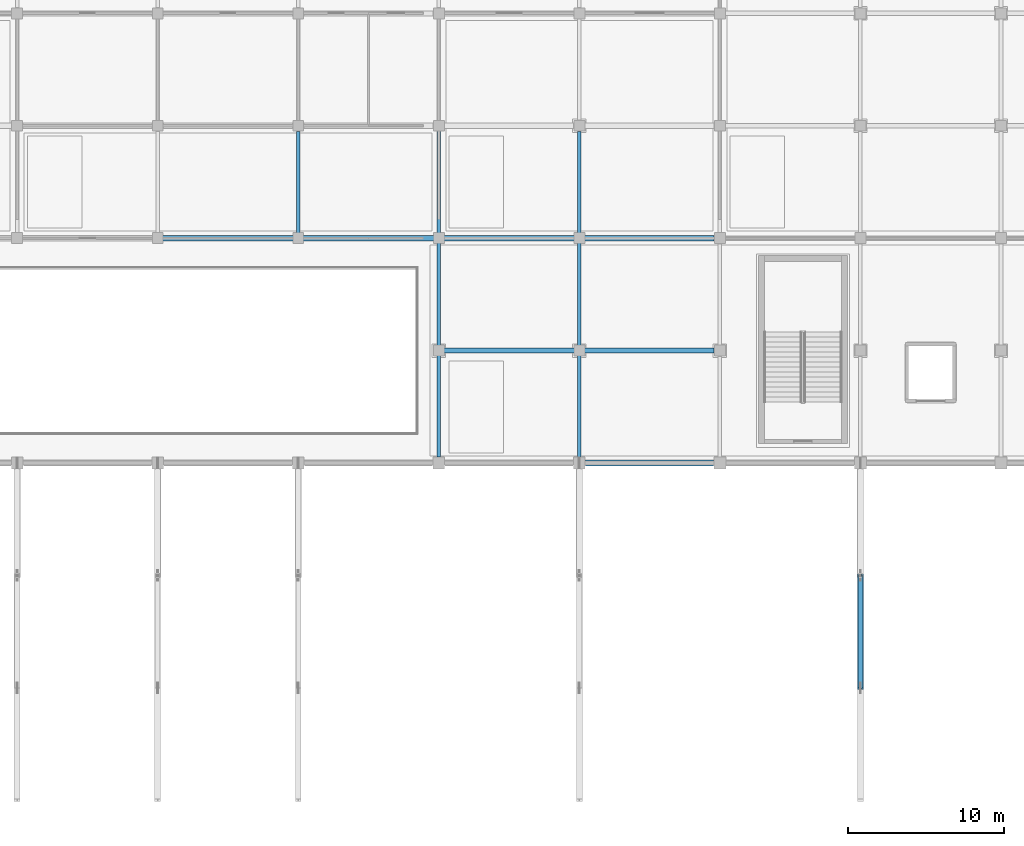
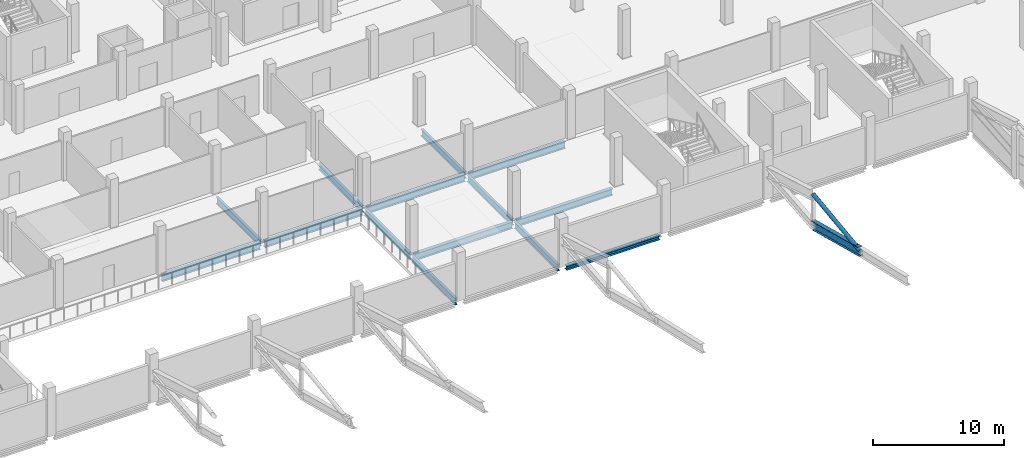
# One storey, part 30 of 151: 14 beams, 2 members.
"""IFC4 building model written with IfcOpenShell, lengths in metres."""

from ifc_helpers import new_model, si_unit, direction, frame, origin, origin_2d, place, context, subcontext, project, spatial, hollow_circle, i_section, extrude, material, material_profile, profile_set, type_object, element, save


model = new_model("IFC4")

# Units and contexts
model_context = context("Model", 3, precision=1e-05, world=origin(), true_north=direction((0.0, 1.0)))
body_context = subcontext(model_context, "Body", "Model", "MODEL_VIEW")
ifc_project = project(units=[si_unit("LENGTHUNIT", "METRE"), si_unit("AREAUNIT", "SQUARE_METRE"), si_unit("VOLUMEUNIT", "CUBIC_METRE"), si_unit("PLANEANGLEUNIT", "RADIAN"), si_unit("MASSUNIT", "GRAM", prefix="KILO")], contexts=[model_context])

# Site, building, storey
site_placement = place(None, origin())
site = spatial("IfcSite", under=ifc_project, at=site_placement, CompositionType="ELEMENT")
building_placement = place(site_placement, origin())
building = spatial("IfcBuilding", under=site, at=building_placement, Name="Celestram Park Convention Centre", CompositionType="ELEMENT")
storey_placement = place(building_placement, frame((0.0, 0.0, 10.800048828125)))
storey = spatial("IfcBuildingStorey", under=building, at=storey_placement, Name="L02", CompositionType="ELEMENT", Elevation=10.800048828125)

# Beams
ifc_material_1 = material(Name="Steel ASTM A992 Grade 50", Category="steel")
ifc_material_profile_1 = material_profile(ifc_material_1, i_section(OverallWidth=0.327880859375, OverallDepth=0.6220703125, WebThickness=0.015380859375, FlangeThickness=0.0244140625, at=origin_2d()), Name="W24X131")
ifc_profile_set_1 = profile_set([ifc_material_profile_1], Name="Steel ASTM A992 Grade 50")
beam_type_1 = type_object("IfcBeamType", Name="STR-BM-W24X131", PredefinedType="BEAM", material=ifc_profile_set_1)
for number, where, z_axis, x_axis, name in (
    (1, (63.182861328125, 122.39990234375, -0.591064453125), (1.0, 0.0, 0.0), (0.0, 1.0, 0.0), "Primary X-girder BG-L02-0055"),
    (2, (72.182861328125, 122.39990234375, -0.591064453125), (1.0, 0.0, 0.0), (0.0, 1.0, 0.0), "Primary X-girder BG-L02-0067"),
    (3, (81.182861328125, 115.199951171875, -0.591064453125), (1.0, 0.0, 0.0), (0.0, 1.0, 0.0), "Primary X-girder BG-L02-0082"),
    (4, (81.182861328125, 122.39990234375, -0.591064453125), (1.0, 0.0, 0.0), (0.0, 1.0, 0.0), "Primary X-girder BG-L02-0084"),
):
    element("IfcBeam", number, at=place(storey_placement, frame(where, z_axis=z_axis, x_axis=x_axis)), inside=storey, type_object=beam_type_1, Name=name, PredefinedType="BEAM", context=body_context, shape_type="SweptSolid", body=[
        extrude(i_section(OverallWidth=0.327880859375, OverallDepth=0.6220703125, WebThickness=0.015380859375, FlangeThickness=0.0244140625, at=origin_2d()), origin(), (0.0, 0.0, 1.0), 8.63427734375),
    ])
for number, where, z_axis, x_axis, name in (
    (5, (90.182861328125, 115.199951171875, -0.591064453125), (1.0, 0.0, 0.0), (0.0, 1.0, 0.0), "Primary X-girder BG-L02-0097"),
    (6, (90.182861328125, 122.39990234375, -0.591064453125), (1.0, 0.0, 0.0), (0.0, 1.0, 0.0), "Primary X-girder BG-L02-0099"),
):
    element("IfcBeam", number, at=place(storey_placement, frame(where, z_axis=z_axis, x_axis=x_axis)), inside=storey, type_object=beam_type_1, Name=name, PredefinedType="BEAM", context=body_context, shape_type="SweptSolid", body=[
        extrude(i_section(OverallWidth=0.327880859375, OverallDepth=0.6220703125, WebThickness=0.015380859375, FlangeThickness=0.0244140625, at=origin_2d()), origin(), (0.0, 0.0, 1.0), 8.444091796875),
    ])
ifc_material_profile_2 = material_profile(ifc_material_1, i_section(OverallWidth=0.22900390625, OverallDepth=0.612060546875, WebThickness=0.011962890625, FlangeThickness=0.01953125, at=origin_2d()), Name="W24X84")
ifc_profile_set_2 = profile_set([ifc_material_profile_2], Name="Steel ASTM A992 Grade 50")
beam_type_2 = type_object("IfcBeamType", Name="STR-BM-W24X84", PredefinedType="BEAM", material=ifc_profile_set_2)
beam_1_placement = place(storey_placement, frame((72.0, 122.5830078125, -0.5859375), z_axis=(0.0, 1.0, 0.0), x_axis=(-1.0, 0.0, 0.0)))
element("IfcBeam", 7, at=beam_1_placement, inside=storey, type_object=beam_type_2, Name="Primary Y-girder BG-L02-0068", PredefinedType="BEAM", context=body_context, shape_type="SweptSolid", body=[
    extrude(i_section(OverallWidth=0.22900390625, OverallDepth=0.612060546875, WebThickness=0.011962890625, FlangeThickness=0.01953125, at=origin_2d()), origin(), (0.0, 0.0, 1.0), 6.64404296875),
])
beam_2_placement = place(storey_placement, frame((81.0, 108.39794921875, -0.5859375), z_axis=(0.0, 1.0, 0.0), x_axis=(-1.0, 0.0, 0.0)))
element("IfcBeam", 8, at=beam_2_placement, inside=storey, type_object=beam_type_2, Name="Primary Y-girder BG-L02-0081", PredefinedType="BEAM", context=body_context, shape_type="SweptSolid", body=[
    extrude(i_section(OverallWidth=0.22900390625, OverallDepth=0.612060546875, WebThickness=0.011962890625, FlangeThickness=0.01953125, at=origin_2d()), origin(), (0.0, 0.0, 1.0), 6.619140625),
])
beam_3_placement = place(storey_placement, frame((81.0, 115.3828125, -0.5859375), z_axis=(0.0, 1.0, 0.0), x_axis=(-1.0, 0.0, 0.0)))
element("IfcBeam", 9, at=beam_3_placement, inside=storey, type_object=beam_type_2, Name="Primary Y-girder BG-L02-0083", PredefinedType="BEAM", context=body_context, shape_type="SweptSolid", body=[
    extrude(i_section(OverallWidth=0.22900390625, OverallDepth=0.612060546875, WebThickness=0.011962890625, FlangeThickness=0.01953125, at=origin_2d()), origin(), (0.0, 0.0, 1.0), 6.834228515625),
])
beam_4_placement = place(storey_placement, frame((81.0, 122.5830078125, -0.5859375), z_axis=(0.0, 1.0, 0.0), x_axis=(-1.0, 0.0, 0.0)))
element("IfcBeam", 10, at=beam_4_placement, inside=storey, type_object=beam_type_2, Name="Primary Y-girder BG-L02-0085", PredefinedType="BEAM", context=body_context, shape_type="SweptSolid", body=[
    extrude(i_section(OverallWidth=0.22900390625, OverallDepth=0.612060546875, WebThickness=0.011962890625, FlangeThickness=0.01953125, at=origin_2d()), origin(), (0.0, 0.0, 1.0), 6.64404296875),
])
beam_5_placement = place(storey_placement, frame((90.0, 108.39794921875, -0.5859375), z_axis=(0.0, 1.0, 0.0), x_axis=(-1.0, 0.0, 0.0)))
element("IfcBeam", 11, at=beam_5_placement, inside=storey, type_object=beam_type_2, Name="Primary Y-girder BG-L02-0096", PredefinedType="BEAM", context=body_context, shape_type="SweptSolid", body=[
    extrude(i_section(OverallWidth=0.22900390625, OverallDepth=0.612060546875, WebThickness=0.011962890625, FlangeThickness=0.01953125, at=origin_2d()), origin(), (0.0, 0.0, 1.0), 6.619140625),
])
beam_6_placement = place(storey_placement, frame((90.0, 115.3828125, -0.5859375), z_axis=(0.0, 1.0, 0.0), x_axis=(-1.0, 0.0, 0.0)))
element("IfcBeam", 12, at=beam_6_placement, inside=storey, type_object=beam_type_2, Name="Primary Y-girder BG-L02-0098", PredefinedType="BEAM", context=body_context, shape_type="SweptSolid", body=[
    extrude(i_section(OverallWidth=0.22900390625, OverallDepth=0.612060546875, WebThickness=0.011962890625, FlangeThickness=0.01953125, at=origin_2d()), origin(), (0.0, 0.0, 1.0), 6.834228515625),
])
beam_7_placement = place(storey_placement, frame((90.0, 122.5830078125, -0.5859375), z_axis=(0.0, 1.0, 0.0), x_axis=(-1.0, 0.0, 0.0)))
element("IfcBeam", 13, at=beam_7_placement, inside=storey, type_object=beam_type_2, Name="Primary Y-girder BG-L02-0100", PredefinedType="BEAM", context=body_context, shape_type="SweptSolid", body=[
    extrude(i_section(OverallWidth=0.22900390625, OverallDepth=0.612060546875, WebThickness=0.011962890625, FlangeThickness=0.01953125, at=origin_2d()), origin(), (0.0, 0.0, 1.0), 6.64404296875),
])

# Members
ifc_material_2 = material(Name="Steel ASTM A500 Grade C", Category="steel")
ifc_material_profile_3 = material_profile(ifc_material_2, hollow_circle(Radius=0.177978515625, WallThickness=0.011962890625, at=origin_2d()), Name="CHS356X12")
ifc_profile_set_3 = profile_set([ifc_material_profile_3], Name="Steel ASTM A500 Grade C")
member_type_1 = type_object("IfcMemberType", Name="STR-BRC-CHS356", PredefinedType="BRACE", material=ifc_profile_set_3)
member_1_placement = place(storey_placement, frame((108.0, 93.60009765625, 3.615234375), z_axis=(0.0, 0.991906664472, 0.126969165453), x_axis=(-1.0, 0.0, 0.0)))
element("IfcMember", 14, at=member_1_placement, inside=storey, type_object=member_type_1, Name="V1 arch web diagonal", PredefinedType="BRACE", context=body_context, shape_type="SweptSolid", body=[
    extrude(hollow_circle(Radius=0.177978515625, WallThickness=0.011962890625, at=origin_2d()), origin(), (0.0, 0.0, 1.0), 7.2587890625),
])
ifc_material_profile_4 = material_profile(ifc_material_1, i_section(OverallWidth=0.381103515625, OverallDepth=0.77197265625, WebThickness=0.0166015625, FlangeThickness=0.027099609375, at=origin_2d()), Name="W30X173")
ifc_profile_set_4 = profile_set([ifc_material_profile_4], Name="Steel ASTM A992 Grade 50")
member_type_2 = type_object("IfcMemberType", Name="STR-CHD-W30X173", PredefinedType="CHORD", material=ifc_profile_set_4)
member_2_placement = place(storey_placement, frame((108.0, 93.60009765625, 3.615234375), z_axis=(0.0, 0.967611697295, -0.252443267403), x_axis=(-1.0, 0.0, 0.0)))
element("IfcMember", 15, at=member_2_placement, inside=storey, type_object=member_type_2, Name="V1 arch bottom chord", PredefinedType="CHORD", context=body_context, shape_type="SweptSolid", body=[
    extrude(i_section(OverallWidth=0.381103515625, OverallDepth=0.77197265625, WebThickness=0.0166015625, FlangeThickness=0.027099609375, at=origin_2d()), origin(), (0.0, 0.0, 1.0), 7.44091796875),
])

# Beam
ifc_material_profile_5 = material_profile(ifc_material_1, i_section(OverallWidth=0.367919921875, OverallDepth=0.35595703125, WebThickness=0.01123046875, FlangeThickness=0.01806640625, at=origin_2d()), Name="W14X90")
ifc_profile_set_5 = profile_set([ifc_material_profile_5], Name="Steel ASTM A992 Grade 50")
beam_type_3 = type_object("IfcBeamType", Name="STR-SPN-W14X90", PredefinedType="SPANDREL", material=ifc_profile_set_5)
beam_8_placement = place(storey_placement, frame((90.39794921875, 108.0, -0.4580078125), z_axis=(1.0, 0.0, 0.0), x_axis=(0.0, 1.0, 0.0)))
element("IfcBeam", 16, at=beam_8_placement, inside=storey, type_object=beam_type_3, Name="Primary X-girder BG-L02-0095", PredefinedType="SPANDREL", context=body_context, shape_type="SweptSolid", body=[
    extrude(i_section(OverallWidth=0.367919921875, OverallDepth=0.35595703125, WebThickness=0.01123046875, FlangeThickness=0.01806640625, at=origin_2d()), origin(), (0.0, 0.0, 1.0), 8.2041015625),
])

save(model, "model.ifc")
